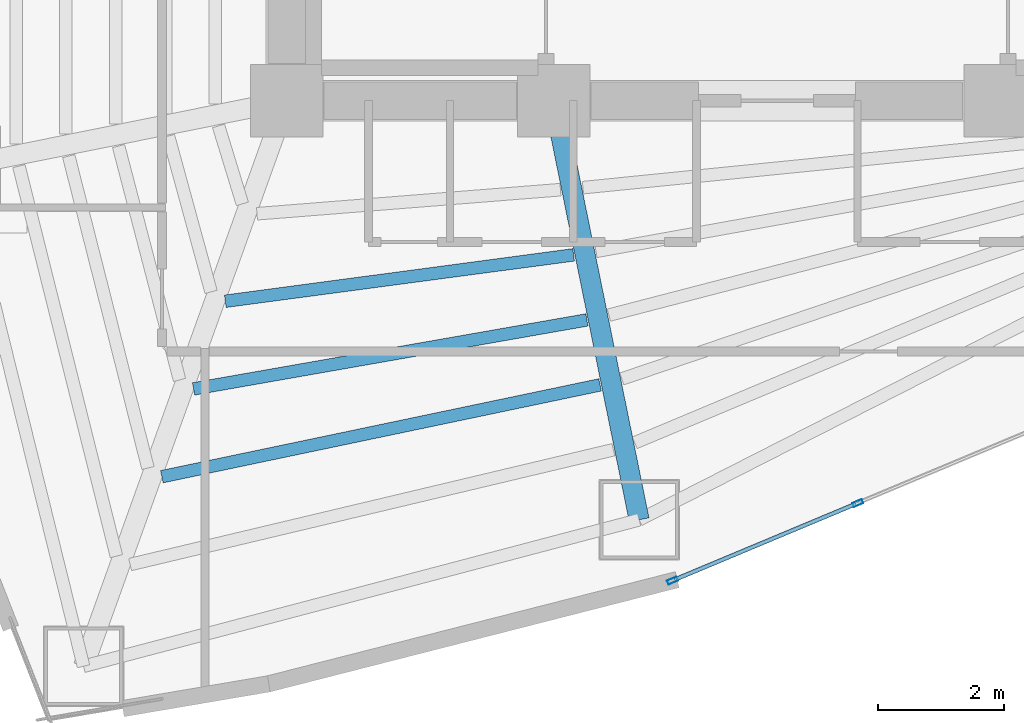
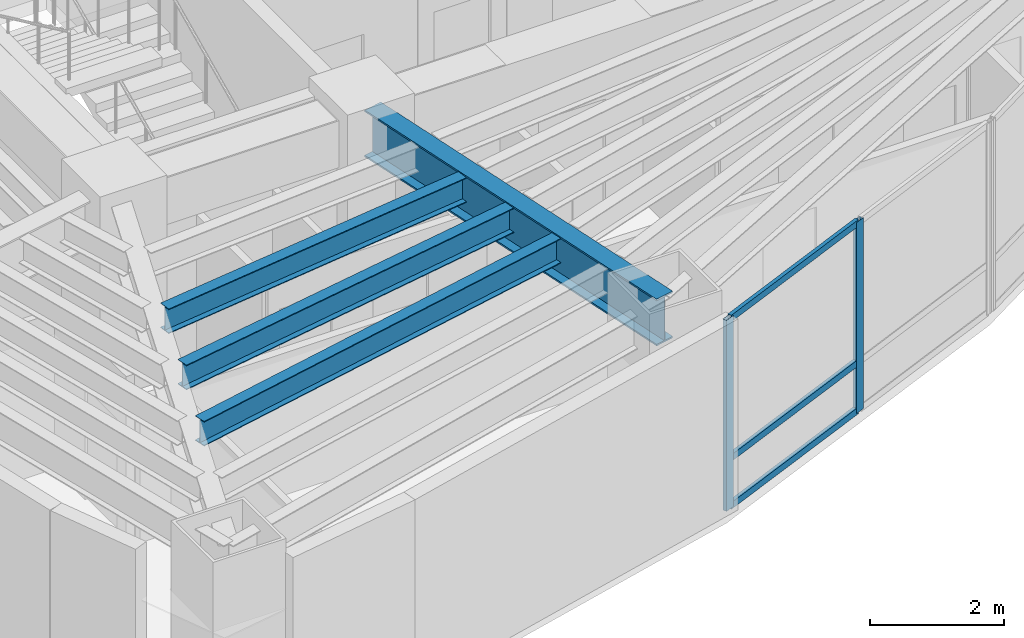
# One storey, part 2 of 16: 5 members, 4 beams, 1 element without a shape of its own.
"""IFC4 building model written with IfcOpenShell, lengths in metres."""

import ifcopenshell
import ifcopenshell.guid

model = None  # the IFC model being written
_history = None  # IfcOwnerHistory: only IFC2X3 demands one
_inside = {}  # id of a spatial element -> (the spatial element, [elements in it])
_under = {}  # id of a project, library or spatial element -> (it, [spatial elements below it])
_declared = {}  # id of a project -> (the project, [libraries it declares])
_typed = {}  # id of a type object -> (the type object, [elements of that type])
_made_of = {}  # id of a material, layer set ... -> (it, [elements and type objects made of it])


def new_model(schema):
    """Start an empty IFC model of exactly this schema.

    Asked for "IFC4X3", IfcOpenShell would pick the latest addendum, in which some entities
    have other attributes; the version numbers below select the first issue.
    IFC2X3 requires an IfcOwnerHistory on every rooted entity: one is made here for all.
    """
    global model, _history
    if schema == "IFC4X3":
        model = ifcopenshell.file(schema_version=(4, 3, 0, 0))
    else:
        model = ifcopenshell.file(schema=schema)
    _inside.clear()
    _under.clear()
    _declared.clear()
    _typed.clear()
    _made_of.clear()
    _history = None
    if model.schema == "IFC2X3":
        org = make("IfcOrganization", Name="unknown")
        user = make(
            "IfcPersonAndOrganization",
            ThePerson=make("IfcPerson", FamilyName="unknown"),
            TheOrganization=org,
        )
        app = make(
            "IfcApplication",
            ApplicationDeveloper=org,
            Version="unknown",
            ApplicationFullName="unknown",
            ApplicationIdentifier="unknown",
        )
        _history = make(
            "IfcOwnerHistory",
            OwningUser=user,
            OwningApplication=app,
            ChangeAction="ADDED",
            CreationDate=0,
        )
    return model


def make(cls, **values):
    """One entity of the class cls with the attributes given. An attribute that is None is left unset."""
    return model.create_entity(
        cls, **{name: value for name, value in values.items() if value is not None}
    )


def rooted(cls, **values):
    """An entity with a GlobalId (a new one), such as an element, a storey or a relation."""
    return make(cls, GlobalId=ifcopenshell.guid.new(), OwnerHistory=_history, **values)


def si_unit(unit_type, name, prefix=None):
    """IfcSIUnit, for example si_unit("LENGTHUNIT", "METRE", prefix="MILLI")."""
    return make("IfcSIUnit", UnitType=unit_type, Prefix=prefix, Name=name)


def assignment(units):
    """IfcUnitAssignment: the units of a project."""
    return None if units is None else make("IfcUnitAssignment", Units=units)


def point(xyz):
    """IfcCartesianPoint."""
    return None if xyz is None else make("IfcCartesianPoint", Coordinates=xyz)


def direction(xyz):
    """IfcDirection."""
    return None if xyz is None else make("IfcDirection", DirectionRatios=xyz)


def frame(location, z_axis=None, x_axis=None):
    """IfcAxis2Placement3D, a coordinate frame: its origin and axes. An axis left out is left unset."""
    return make(
        "IfcAxis2Placement3D",
        Location=point(location),
        Axis=direction(z_axis),
        RefDirection=direction(x_axis),
    )


def frame_2d(location, x_axis=None):
    """IfcAxis2Placement2D, a coordinate frame in the plane: its origin and x axis."""
    return make(
        "IfcAxis2Placement2D", Location=point(location), RefDirection=direction(x_axis)
    )


def origin():
    """The frame at (0, 0, 0) with its axes left unset."""
    return frame((0.0, 0.0, 0.0))


def origin_2d():
    """The frame at (0, 0) in the plane with its x axis left unset."""
    return frame_2d((0.0, 0.0))


def place(relative_to, where):
    """IfcLocalPlacement: puts the frame where relative to a parent placement (None: the world)."""
    return make(
        "IfcLocalPlacement", PlacementRelTo=relative_to, RelativePlacement=where
    )


def context(
    kind, dimensions, precision=None, world=None, true_north=None, identifier=None
):
    """IfcGeometricRepresentationContext, for example the 3D "Model" context."""
    return make(
        "IfcGeometricRepresentationContext",
        ContextIdentifier=identifier,
        ContextType=kind,
        CoordinateSpaceDimension=dimensions,
        Precision=precision,
        WorldCoordinateSystem=world,
        TrueNorth=true_north,
    )


def subcontext(parent, identifier, kind, view, scale=None):
    """IfcGeometricRepresentationSubContext, for example "Body" below "Model"."""
    return make(
        "IfcGeometricRepresentationSubContext",
        ContextIdentifier=identifier,
        ContextType=kind,
        ParentContext=parent,
        TargetScale=scale,
        TargetView=view,
    )


def project(units=None, contexts=None):
    """IfcProject with its units and contexts."""
    return rooted(
        "IfcProject",
        Name="project",
        RepresentationContexts=contexts,
        UnitsInContext=assignment(units),
    )


def spatial(cls, under=None, at=None, **own):
    """A site, building, storey or space (cls), placed at a placement, below another one or the project."""
    s = rooted(cls, ObjectPlacement=at, **own)
    if under is not None:
        _under.setdefault(under.id(), (under, []))[1].append(s)
    return s


def profile(cls, at=None, kind="AREA", **sizes):
    """A parametric profile (cls). Its sizes go by their IFC names, for example OverallWidth=200.0."""
    return make(cls, ProfileType=kind, Position=at, **sizes)


def hollow_rectangle(**sizes):
    """IfcRectangleHollowProfileDef."""
    return profile("IfcRectangleHollowProfileDef", **sizes)


def i_section(**sizes):
    """IfcIShapeProfileDef."""
    return profile("IfcIShapeProfileDef", **sizes)


def extrude(swept, where, along, depth):
    """IfcExtrudedAreaSolid: the profile swept, set in the frame where, extruded along a direction by depth."""
    return make(
        "IfcExtrudedAreaSolid",
        SweptArea=swept,
        Position=where,
        ExtrudedDirection=direction(along),
        Depth=depth,
    )


def shape(context_of_items, identifier, shape_type, items):
    """IfcShapeRepresentation: the items that make up one representation, for example the "Body"."""
    return make(
        "IfcShapeRepresentation",
        ContextOfItems=context_of_items,
        RepresentationIdentifier=identifier,
        RepresentationType=shape_type,
        Items=items,
    )


def material(Name=None, Category=None):
    """IfcMaterial."""
    return make("IfcMaterial", Name=Name, Category=Category)


def layer(
    of_material, thickness, ventilated=None, Name=None, Category=None, Priority=None
):
    """IfcMaterialLayer: one layer of a wall or slab, of a material (None: an air gap)."""
    return make(
        "IfcMaterialLayer",
        Material=of_material,
        LayerThickness=thickness,
        IsVentilated=ventilated,
        Name=Name,
        Category=Category,
        Priority=Priority,
    )


def layer_set(layers, Name=None):
    """IfcMaterialLayerSet."""
    return make("IfcMaterialLayerSet", MaterialLayers=layers, LayerSetName=Name)


def material_profile(
    of_material, cross_section, Name=None, Category=None, Priority=None
):
    """IfcMaterialProfile: a cross section and its material."""
    return make(
        "IfcMaterialProfile",
        Name=Name,
        Material=of_material,
        Profile=cross_section,
        Priority=Priority,
        Category=Category,
    )


def profile_set(profiles, Name=None, composite=None):
    """IfcMaterialProfileSet."""
    return make(
        "IfcMaterialProfileSet",
        Name=Name,
        MaterialProfiles=profiles,
        CompositeProfile=composite,
    )


def made_of(thing, what):
    """Note that an element or type object is made of a material, layer set ...; save() writes the relation."""
    if what is not None:
        _made_of.setdefault(what.id(), (what, []))[1].append(thing)
    return thing


def type_object(cls, material=None, **own):
    """A type object (cls), such as IfcWallType, which elements share."""
    return made_of(rooted(cls, **own), material)


def element(
    cls,
    number,
    at=None,
    inside=None,
    cuts=None,
    type_object=None,
    material=None,
    context=None,
    identifier="Body",
    shape_type=None,
    held_by="IfcProductDefinitionShape",
    body=None,
    shapes=None,
    **own,
):
    """One element of the class cls, such as IfcWall. Its Tag is "e" and its number.

    at: its placement. inside: the storey or other place that contains it. cuts: it is an
    opening in that element (IfcRelVoidsElement). A single representation is given by context,
    identifier, shape_type and body (its items); several are given by shapes. held_by: the class
    of the entity that holds the representations. save() writes the other relations.
    """
    e = rooted(cls, Tag="e%d" % number, ObjectPlacement=at, **own)
    if body is not None:
        shapes = [shape(context, identifier, shape_type, body)]
    if shapes is not None:
        e.Representation = make(held_by, Representations=shapes)
    if inside is not None:
        _inside.setdefault(inside.id(), (inside, []))[1].append(e)
    if cuts is not None:
        rooted(
            "IfcRelVoidsElement", RelatingBuildingElement=cuts, RelatedOpeningElement=e
        )
    if type_object is not None:
        _typed.setdefault(type_object.id(), (type_object, []))[1].append(e)
    return made_of(e, material)


def aggregate(whole, parts):
    """IfcRelAggregates: a whole, such as a stair, and the parts it consists of."""
    return rooted("IfcRelAggregates", RelatingObject=whole, RelatedObjects=parts)


def save(model, path):
    """Write the relations noted so far, then the file.

    IfcRelAggregates (storeys below a building ...), IfcRelContainedInSpatialStructure (elements
    in a storey), IfcRelDefinesByType, IfcRelAssociatesMaterial and IfcRelDeclares: one each for
    every whole, place, type object, material and project.
    """
    for whole, parts in _under.values():
        aggregate(whole, parts)
    for where, things in _inside.values():
        rooted(
            "IfcRelContainedInSpatialStructure",
            RelatedElements=things,
            RelatingStructure=where,
        )
    for kind, things in _typed.values():
        rooted("IfcRelDefinesByType", RelatedObjects=things, RelatingType=kind)
    for what, things in _made_of.values():
        rooted("IfcRelAssociatesMaterial", RelatedObjects=things, RelatingMaterial=what)
    for by, libraries in _declared.values():
        rooted("IfcRelDeclares", RelatingContext=by, RelatedDefinitions=libraries)
    model.write(path)


model = new_model("IFC4")

# Units and contexts
model_context = context("Model", 3, precision=1e-05, world=origin(), true_north=direction((0.0, 1.0)))
body_context = subcontext(model_context, "Body", "Model", "MODEL_VIEW")
ifc_project = project(units=[si_unit("LENGTHUNIT", "METRE"), si_unit("AREAUNIT", "SQUARE_METRE"), si_unit("VOLUMEUNIT", "CUBIC_METRE"), si_unit("PLANEANGLEUNIT", "RADIAN"), si_unit("MASSUNIT", "GRAM", prefix="KILO")], contexts=[model_context])

# Site, building, storey
site_placement = place(None, origin())
site = spatial("IfcSite", under=ifc_project, at=site_placement, CompositionType="ELEMENT")
building_placement = place(site_placement, origin())
building = spatial("IfcBuilding", under=site, at=building_placement, Name="Menara Vayukalpa", CompositionType="ELEMENT")
storey_placement = place(building_placement, frame((0.0, 0.0, 75.9599609375)))
storey = spatial("IfcBuildingStorey", under=building, at=storey_placement, Name="L18", CompositionType="ELEMENT", Elevation=75.9599609375)

# Beams
ifc_material_1 = material(Name="Steel S355", Category="steel")
ifc_material_profile_1 = material_profile(ifc_material_1, i_section(OverallWidth=0.320068359375, OverallDepth=0.85009765625, WebThickness=0.01611328125, FlangeThickness=0.030029296875, at=origin_2d()), Name="WF 850x320x16x30")
ifc_profile_set_1 = profile_set([ifc_material_profile_1], Name="Steel S355")
beam_type_1 = type_object("IfcBeamType", Name="BM-PG2", PredefinedType="BEAM", material=ifc_profile_set_1)
beam_1_placement = place(storey_placement, frame((22.099853515625, 16.955078125, 3.044921875), z_axis=(0.199617728418, -0.9798738503, 0.0), x_axis=(0.9798738503, 0.199617728418, 0.0)))
element("IfcBeam", 1, at=beam_1_placement, inside=storey, type_object=beam_type_1, Name="L18 Primary Radial Girder RG08", PredefinedType="BEAM", context=body_context, shape_type="SweptSolid", body=[
    extrude(i_section(OverallWidth=0.320068359375, OverallDepth=0.85009765625, WebThickness=0.01611328125, FlangeThickness=0.030029296875, at=origin_2d()), origin(), (0.0, 0.0, 1.0), 6.55419921875),
])
ifc_material_2 = material(Name="Steel S355", Category="steel")
ifc_material_profile_2 = material_profile(ifc_material_2, i_section(OverallWidth=0.199951171875, OverallDepth=0.449951171875, WebThickness=0.009033203125, FlangeThickness=0.013916015625, at=origin_2d()), Name="WF 450x200x9x14")
ifc_profile_set_2 = profile_set([ifc_material_profile_2], Name="Steel S355")
beam_type_2 = type_object("IfcBeamType", Name="BM-SJ1", PredefinedType="JOIST", material=ifc_profile_set_2)
beam_2_placement = place(storey_placement, frame((16.82421875, 14.009521484375, 3.2451171875), z_axis=(0.991248863782, 0.132006401551, 0.0), x_axis=(-0.132006401551, 0.991248863782, 0.0)))
element("IfcBeam", 2, at=beam_2_placement, inside=storey, type_object=beam_type_2, Name="L18 Secondary Floor Joist SJ07-2", PredefinedType="JOIST", context=body_context, shape_type="SweptSolid", body=[
    extrude(i_section(OverallWidth=0.199951171875, OverallDepth=0.449951171875, WebThickness=0.009033203125, FlangeThickness=0.013916015625, at=origin_2d()), origin(), (0.0, 0.0, 1.0), 5.5908203125),
])
beam_3_placement = place(storey_placement, frame((16.319580078125, 12.61474609375, 3.2451171875), z_axis=(0.984953696719, 0.172818446123, 0.0), x_axis=(-0.172818446123, 0.984953696719, 0.0)))
element("IfcBeam", 3, at=beam_3_placement, inside=storey, type_object=beam_type_2, Name="L18 Secondary Floor Joist SJ07-3", PredefinedType="JOIST", context=body_context, shape_type="SweptSolid", body=[
    extrude(i_section(OverallWidth=0.199951171875, OverallDepth=0.449951171875, WebThickness=0.009033203125, FlangeThickness=0.013916015625, at=origin_2d()), origin(), (0.0, 0.0, 1.0), 6.35302734375),
])
beam_4_placement = place(storey_placement, frame((15.815185546875, 11.218505859375, 3.2451171875), z_axis=(0.978749690575, 0.205058633565, 0.0), x_axis=(-0.205058633565, 0.978749690575, 0.0)))
element("IfcBeam", 4, at=beam_4_placement, inside=storey, type_object=beam_type_2, Name="L18 Secondary Floor Joist SJ07-4", PredefinedType="JOIST", context=body_context, shape_type="SweptSolid", body=[
    extrude(i_section(OverallWidth=0.199951171875, OverallDepth=0.449951171875, WebThickness=0.009033203125, FlangeThickness=0.013916015625, at=origin_2d()), origin(), (0.0, 0.0, 1.0), 7.123291015625),
])

# Curtain wall, members
ifc_material_3 = material(Name="Anodised Terracotta Aluminium Alloy 6063-T6", Category="masonry")
ifc_layer = layer(ifc_material_3, 0.1650390625)
ifc_layer_set = layer_set([ifc_layer], Name="Anodised Terracotta Aluminium Alloy 6063-T6")
curtain_wall_type = type_object("IfcCurtainWallType", Name="CW-CW2", PredefinedType="USERDEFINED", material=ifc_layer_set)
curtain_wall_placement = place(storey_placement, origin())
curtain_wall = element("IfcCurtainWall", 5, at=curtain_wall_placement, inside=storey, type_object=curtain_wall_type, Name="L18 Low Rise Terracotta Ribbon Curtain Wall CW2 16", ObjectType="UNITISED", PredefinedType="USERDEFINED")
ifc_material_4 = material(Name="Anodised Terracotta Aluminium Alloy 6063-T6", Category="masonry")
ifc_material_profile_3 = material_profile(ifc_material_4, hollow_rectangle(XDim=0.070068359375, YDim=0.1650390625, WallThickness=0.00390625, at=origin_2d()), Name="ALU 70x165x4")
ifc_profile_set_3 = profile_set([ifc_material_profile_3], Name="Anodised Terracotta Aluminium Alloy 6063-T6")
member_type_1 = type_object("IfcMemberType", Name="CWM-CW2", PredefinedType="MULLION", material=ifc_profile_set_3)
member_1_placement = place(storey_placement, frame((23.939697265625, 9.56591796875, 0.0), z_axis=(0.0, 0.0, 1.0), x_axis=(-0.38589358437, 0.922543300632, 0.0)))
member_1 = element("IfcMember", 6, at=member_1_placement, type_object=member_type_1, Name="CW2 mullion 1", PredefinedType="MULLION", context=body_context, shape_type="SweptSolid", body=[
    extrude(hollow_rectangle(XDim=0.070068359375, YDim=0.1650390625, WallThickness=0.00390625, at=origin_2d()), origin(), (0.0, 0.0, 1.0), 3.469970703125),
])
member_2_placement = place(storey_placement, frame((26.88671875, 10.798583984375, 0.0), z_axis=(0.0, 0.0, 1.0), x_axis=(-0.38589358437, 0.922543300632, 0.0)))
member_2 = element("IfcMember", 7, at=member_2_placement, type_object=member_type_1, Name="CW2 mullion 2", PredefinedType="MULLION", context=body_context, shape_type="SweptSolid", body=[
    extrude(hollow_rectangle(XDim=0.070068359375, YDim=0.1650390625, WallThickness=0.00390625, at=origin_2d()), origin(), (0.0, 0.0, 1.0), 3.469970703125),
])
ifc_material_5 = material(Name="Anodised Terracotta Aluminium Alloy 6063-T6", Category="masonry")
ifc_material_profile_4 = material_profile(ifc_material_5, hollow_rectangle(XDim=0.06494140625, YDim=0.1201171875, WallThickness=0.00341796875, at=origin_2d()), Name="ALU 65x120x3.5")
ifc_profile_set_4 = profile_set([ifc_material_profile_4], Name="Anodised Terracotta Aluminium Alloy 6063-T6")
member_type_2 = type_object("IfcMemberType", Name="CWT-CW2", PredefinedType="USERDEFINED", material=ifc_profile_set_4)
member_3_placement = place(storey_placement, frame((23.971923828125, 9.579345703125, 0.032470703125), z_axis=(0.922525759021, 0.385935517856, 0.0), x_axis=(-0.385935517856, 0.922525759021, 0.0)))
member_3 = element("IfcMember", 8, at=member_3_placement, type_object=member_type_2, Name="CW2 transom 1.1", ObjectType="TRANSOM", PredefinedType="USERDEFINED", context=body_context, shape_type="SweptSolid", body=[
    extrude(hollow_rectangle(XDim=0.06494140625, YDim=0.1201171875, WallThickness=0.00341796875, at=origin_2d()), origin(), (0.0, 0.0, 1.0), 3.124267578125),
])
member_4_placement = place(storey_placement, frame((23.971923828125, 9.579345703125, 0.900146484375), z_axis=(0.922525759021, 0.385935517856, 0.0), x_axis=(-0.385935517856, 0.922525759021, 0.0)))
member_4 = element("IfcMember", 9, at=member_4_placement, type_object=member_type_2, Name="CW2 transom 1.2", ObjectType="TRANSOM", PredefinedType="USERDEFINED", context=body_context, shape_type="SweptSolid", body=[
    extrude(hollow_rectangle(XDim=0.06494140625, YDim=0.1201171875, WallThickness=0.00341796875, at=origin_2d()), origin(), (0.0, 0.0, 1.0), 3.124267578125),
])
member_5_placement = place(storey_placement, frame((23.971923828125, 9.579345703125, 3.4375), z_axis=(0.922525759021, 0.385935517856, 0.0), x_axis=(-0.385935517856, 0.922525759021, 0.0)))
member_5 = element("IfcMember", 10, at=member_5_placement, type_object=member_type_2, Name="CW2 transom 1.3", ObjectType="TRANSOM", PredefinedType="USERDEFINED", context=body_context, shape_type="SweptSolid", body=[
    extrude(hollow_rectangle(XDim=0.06494140625, YDim=0.1201171875, WallThickness=0.00341796875, at=origin_2d()), origin(), (0.0, 0.0, 1.0), 3.124267578125),
])
aggregate(curtain_wall, [member_1, member_2, member_3, member_4, member_5])

save(model, "model.ifc")
